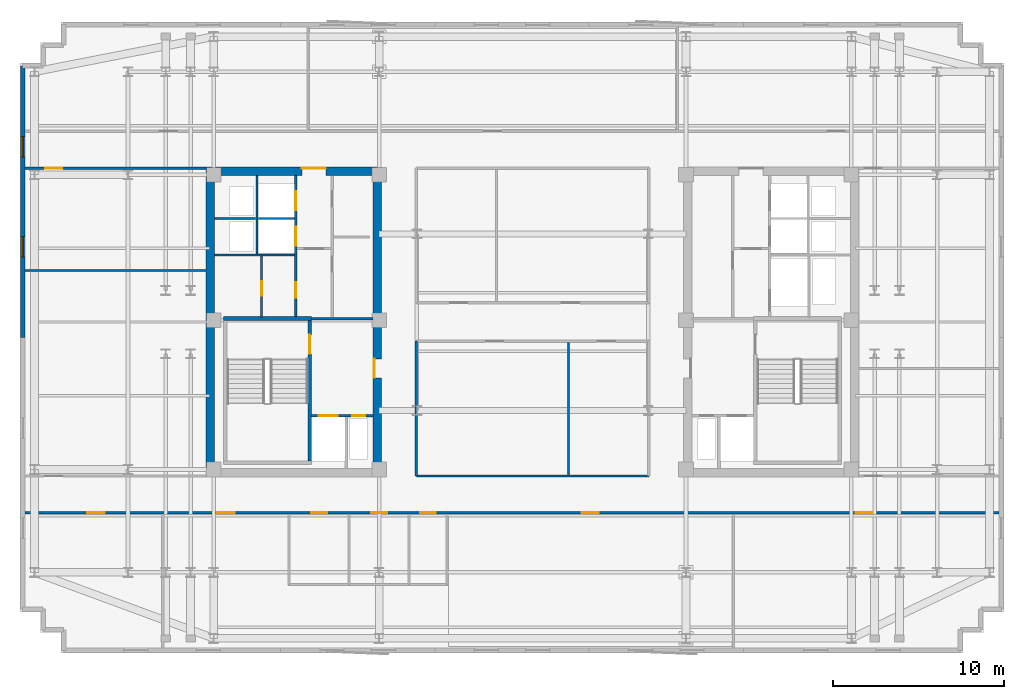
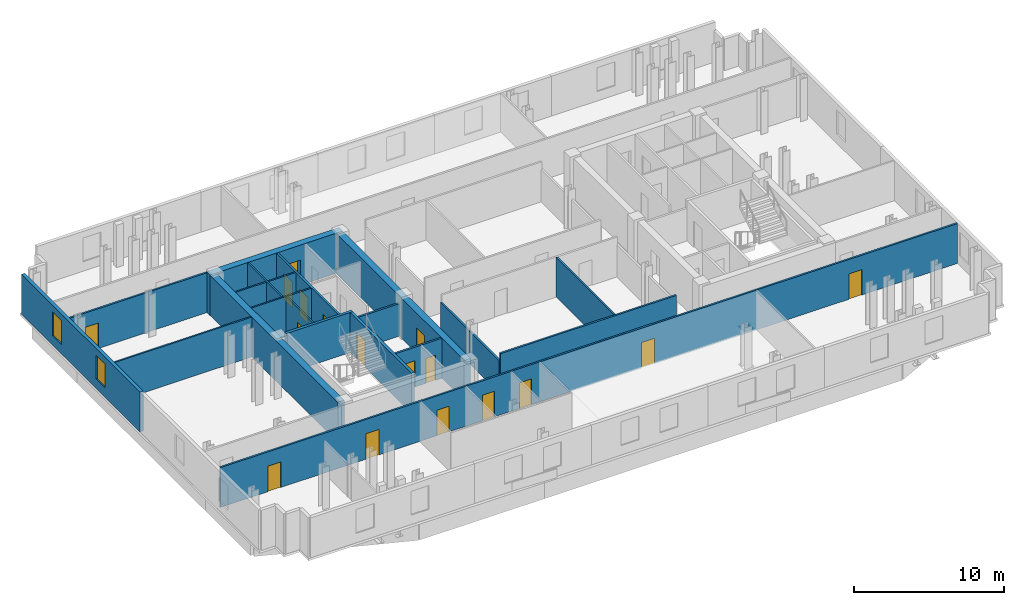
# One storey, part 4 of 9: 20 walls, 17 doors, 2 windows, 19 openings.
"""IFC4 building model written with IfcOpenShell, lengths in metres."""

from ifc_helpers import new_model, si_unit, direction, frame, frame_2d, origin, place, context, subcontext, project, spatial, rectangle, extrude, material, layer, layer_set, type_object, element, fill, save


model = new_model("IFC4")

# Units and contexts
model_context = context("Model", 3, precision=1e-05, world=origin(), true_north=direction((0.0, 1.0)))
body_context = subcontext(model_context, "Body", "Model", "MODEL_VIEW")
ifc_project = project(units=[si_unit("LENGTHUNIT", "METRE"), si_unit("AREAUNIT", "SQUARE_METRE"), si_unit("VOLUMEUNIT", "CUBIC_METRE"), si_unit("PLANEANGLEUNIT", "RADIAN"), si_unit("MASSUNIT", "GRAM", prefix="KILO")], contexts=[model_context])

# Site, building, storey
site_placement = place(None, origin())
site = spatial("IfcSite", under=ifc_project, at=site_placement, CompositionType="ELEMENT")
building_placement = place(site_placement, origin())
building = spatial("IfcBuilding", under=site, at=building_placement, Name="Velakula Bourse", CompositionType="ELEMENT")
storey_placement = place(building_placement, frame((0.0, 0.0, 208.5)))
storey = spatial("IfcBuildingStorey", under=building, at=storey_placement, Name="L56", CompositionType="ELEMENT", Elevation=208.5)

# Wall, opening, door
ifc_material_1 = material(Name="Concrete M50 (fck 50 MPa)", Category="concrete")
ifc_layer_1 = layer(ifc_material_1, 0.2099609375, Name="Concrete M50 (fck 50 MPa)", Category="concrete")
ifc_layer_set_1 = layer_set([ifc_layer_1], Name="Concrete M50 (fck 50 MPa)")
wall_type_1 = type_object("IfcWallType", Name="WL-CORE-210", PredefinedType="SHEAR", material=ifc_layer_set_1)
wall_1_placement = place(storey_placement, frame((-12.9951171875, -8.10009765625, 0.0), z_axis=(0.0, 0.0, 1.0), x_axis=(0.0, 1.0, 0.0)))
wall_1 = element("IfcWall", 1, at=wall_1_placement, inside=storey, type_object=wall_type_1, Name="L56 Core W Stairwell Shear Wall IN", PredefinedType="SHEAR", context=body_context, shape_type="SweptSolid", body=[
    extrude(rectangle(XDim=8.2001953125, YDim=0.2099609375, at=frame_2d((4.10009765625, 0.0))), origin(), (0.0, 0.0, 1.0), 3.27001953125),
])
opening_1_placement = place(wall_1_placement, frame((6.25, 0.0, 0.0)))
opening_1 = element("IfcOpeningElement", 2, at=opening_1_placement, cuts=wall_1, Name="Opening D-STW1", PredefinedType="OPENING", context=body_context, shape_type="SweptSolid", body=[
    extrude(rectangle(XDim=1.10009765625, YDim=2.14990234375, at=frame_2d((0.550048828125, 1.074951171875))), frame((0.0, 0.114990234375, 0.0), z_axis=(0.0, -1.0, 0.0), x_axis=(1.0, 0.0, 0.0)), (0.0, 0.0, 1.0), 0.22998046875),
])
ifc_material_2 = material(Name="Galvanised painted hollow steel fire door", Category="steel")
door_type_1 = type_object("IfcDoorType", Name="DR-FD120-1100x2150", OperationType="NOTDEFINED", PredefinedType="DOOR", material=ifc_material_2)
door_1_placement = place(opening_1_placement, origin())
door_1 = element("IfcDoor", 3, at=door_1_placement, inside=storey, type_object=door_type_1, Name="L56 Stair ST-W1 Fire Door", OperationType="SINGLE_SWING_LEFT", OverallHeight=2.14990234375, OverallWidth=1.10009765625, PredefinedType="DOOR", context=body_context, shape_type="SweptSolid", body=[
    extrude(rectangle(XDim=1.10009765625, YDim=2.14990234375, at=frame_2d((0.550048828125, 1.074951171875))), frame((0.0, 0.02490234375, 0.0), z_axis=(0.0, -1.0, 0.0), x_axis=(1.0, 0.0, 0.0)), (0.0, 0.0, 1.0), 0.050048828125),
])
fill(opening_1, door_1)

# Wall
wall_2_placement = place(storey_placement, frame((-12.889892578125, 0.205078125, 0.0), z_axis=(0.0, 0.0, 1.0), x_axis=(-1.0, 0.0, 0.0)))
element("IfcWall", 4, at=wall_2_placement, inside=storey, type_object=wall_type_1, Name="L56 Core W Stairwell Shear Wall N", PredefinedType="SHEAR", context=body_context, shape_type="SweptSolid", body=[
    extrude(rectangle(XDim=5.14013671875, YDim=0.2099609375, at=frame_2d((2.570068359375, 0.0))), origin(), (0.0, 0.0, 1.0), 3.27001953125),
])

# Wall, opening, door
ifc_layer_2 = layer(ifc_material_1, 0.5, Name="Concrete M50 (fck 50 MPa)", Category="concrete")
ifc_layer_set_2 = layer_set([ifc_layer_2], Name="Concrete M50 (fck 50 MPa)")
wall_type_2 = type_object("IfcWallType", Name="WL-CORE-500", PredefinedType="SHEAR", material=ifc_layer_set_2)
wall_3_placement = place(storey_placement, frame((-19.050048828125, 8.800048828125, 0.0), z_axis=(0.0, 0.0, 1.0), x_axis=(1.0, 0.0, 0.0)))
wall_3 = element("IfcWall", 5, at=wall_3_placement, inside=storey, type_object=wall_type_2, Name="L56 Core W Shear Wall N", PredefinedType="SHEAR", context=body_context, shape_type="SweptSolid", body=[
    extrude(rectangle(XDim=10.25, YDim=0.5, at=frame_2d((5.125, 0.0))), origin(), (0.0, 0.0, 1.0), 3.27001953125),
])
opening_2_placement = place(wall_3_placement, frame((5.60009765625, 0.0, 0.0)))
opening_2 = element("IfcOpeningElement", 6, at=opening_2_placement, cuts=wall_3, Name="Opening D-LLW", PredefinedType="OPENING", context=body_context, shape_type="SweptSolid", body=[
    extrude(rectangle(XDim=1.39990234375, YDim=2.050048828125, at=frame_2d((0.699951171875, 1.02490234375))), frame((0.0, 0.260009765625, 0.0), z_axis=(0.0, -1.0, 0.0), x_axis=(1.0, 0.0, 0.0)), (0.0, 0.0, 1.0), 0.52001953125),
])
ifc_material_3 = material(Name="Fire-rated hardwood flush architectural door", Category="wood")
door_type_2 = type_object("IfcDoorType", Name="DR-DBL-FD60-1400", OperationType="DOUBLE_DOOR_SINGLE_SWING", PredefinedType="DOOR", material=ifc_material_3)
door_2_placement = place(opening_2_placement, origin())
door_2 = element("IfcDoor", 7, at=door_2_placement, inside=storey, type_object=door_type_2, Name="L56 Core W Lift Lobby Corridor Double Door", OperationType="DOUBLE_DOOR_SINGLE_SWING", OverallHeight=2.050048828125, OverallWidth=1.39990234375, PredefinedType="DOOR", context=body_context, shape_type="SweptSolid", body=[
    extrude(rectangle(XDim=1.39990234375, YDim=2.050048828125, at=frame_2d((0.699951171875, 1.02490234375))), frame((0.0, 0.19482421875, 0.0), z_axis=(0.0, -1.0, 0.0), x_axis=(1.0, 0.0, 0.0)), (0.0, 0.0, 1.0), 0.050048828125),
])
fill(opening_2, door_2)

# Wall
wall_4_placement = place(storey_placement, frame((-18.800048828125, -8.550048828125, 0.0), z_axis=(0.0, 0.0, 1.0), x_axis=(0.0, 1.0, 0.0)))
element("IfcWall", 8, at=wall_4_placement, inside=storey, type_object=wall_type_2, Name="L56 Core W Shear Wall W", PredefinedType="SHEAR", context=body_context, shape_type="SweptSolid", body=[
    extrude(rectangle(XDim=17.10009765625, YDim=0.5, at=frame_2d((8.550048828125, 0.0))), origin(), (0.0, 0.0, 1.0), 3.27001953125),
])

# Wall, opening, door
wall_5_placement = place(storey_placement, frame((-9.050048828125, -8.550048828125, 0.0), z_axis=(0.0, 0.0, 1.0), x_axis=(0.0, 1.0, 0.0)))
wall_5 = element("IfcWall", 9, at=wall_5_placement, inside=storey, type_object=wall_type_2, Name="L56 Core W Shear Wall E", PredefinedType="SHEAR", context=body_context, shape_type="SweptSolid", body=[
    extrude(rectangle(XDim=17.10009765625, YDim=0.5, at=frame_2d((8.550048828125, 0.0))), origin(), (0.0, 0.0, 1.0), 3.27001953125),
])
opening_3_placement = place(wall_5_placement, frame((5.300048828125, 0.0, 0.0)))
opening_3 = element("IfcOpeningElement", 10, at=opening_3_placement, cuts=wall_5, Name="Opening D-FLW", PredefinedType="OPENING", context=body_context, shape_type="SweptSolid", body=[
    extrude(rectangle(XDim=1.10009765625, YDim=2.080078125, at=frame_2d((0.550048828125, 1.0400390625))), frame((0.0, 0.260009765625, 0.0), z_axis=(0.0, -1.0, 0.0), x_axis=(1.0, 0.0, 0.0)), (0.0, 0.0, 1.0), 0.52001953125),
])
door_type_3 = type_object("IfcDoorType", Name="DR-FD120-1100", OperationType="NOTDEFINED", PredefinedType="DOOR", material=ifc_material_2)
door_3_placement = place(opening_3_placement, origin())
door_3 = element("IfcDoor", 11, at=door_3_placement, inside=storey, type_object=door_type_3, Name="L56 Firefighting Lobby W Corridor Fire Door", OperationType="SINGLE_SWING_LEFT", OverallHeight=2.080078125, OverallWidth=1.10009765625, PredefinedType="DOOR", context=body_context, shape_type="SweptSolid", body=[
    extrude(rectangle(XDim=1.10009765625, YDim=2.080078125, at=frame_2d((0.550048828125, 1.0400390625))), frame((0.0, 0.205078125, 0.0), z_axis=(0.0, -1.0, 0.0), x_axis=(1.0, 0.0, 0.0)), (0.0, 0.0, 1.0), 0.050048828125),
])
fill(opening_3, door_3)

# Wall, openings, windows
ifc_material_4 = material(Name="Buff kilned clay facing brick masonry", Category="masonry")
ifc_layer_3 = layer(ifc_material_4, 0.260009765625, Name="Buff kilned clay facing brick masonry", Category="masonry")
ifc_layer_set_3 = layer_set([ifc_layer_3], Name="Buff kilned clay facing brick masonry")
wall_type_3 = type_object("IfcWallType", Name="WL-EXT-BRK-260", PredefinedType="STANDARD", material=ifc_layer_set_3)
wall_6_placement = place(storey_placement, frame((-29.75, -0.89990234375, 0.0), z_axis=(0.0, 0.0, 1.0), x_axis=(0.0, 1.0, 0.0)))
wall_6 = element("IfcWall", 12, at=wall_6_placement, inside=storey, type_object=wall_type_3, Name="L56 W Brick End Wall W2", PredefinedType="STANDARD", context=body_context, shape_type="SweptSolid", body=[
    extrude(rectangle(XDim=15.849853515625, YDim=0.260009765625, at=frame_2d((7.9248046875, 0.0))), origin(), (0.0, 0.0, 1.0), 3.25),
])
opening_4_placement = place(wall_6_placement, frame((4.683349609375, 0.0, 0.760009765625)))
opening_4 = element("IfcOpeningElement", 13, at=opening_4_placement, cuts=wall_6, Name="Opening W-04", PredefinedType="OPENING", context=body_context, shape_type="SweptSolid", body=[
    extrude(rectangle(XDim=1.199951171875, YDim=1.949951171875, at=frame_2d((0.60009765625, 0.97509765625))), frame((0.0, 0.139892578125, 0.0), z_axis=(0.0, -1.0, 0.0), x_axis=(1.0, 0.0, 0.0)), (0.0, 0.0, 1.0), 0.280029296875),
])
opening_5_placement = place(wall_6_placement, frame((10.5166015625, 0.0, 0.760009765625)))
opening_5 = element("IfcOpeningElement", 14, at=opening_5_placement, cuts=wall_6, Name="Opening W-04", PredefinedType="OPENING", context=body_context, shape_type="SweptSolid", body=[
    extrude(rectangle(XDim=1.199951171875, YDim=1.949951171875, at=frame_2d((0.60009765625, 0.97509765625))), frame((0.0, 0.139892578125, 0.0), z_axis=(0.0, -1.0, 0.0), x_axis=(1.0, 0.0, 0.0)), (0.0, 0.0, 1.0), 0.280029296875),
])
ifc_material_5 = material(Name="Double-glazed solar-control Low-E glass", Category="glass")
window_type = type_object("IfcWindowType", Name="WIN-TWR-1200x2100", PartitioningType="SINGLE_PANEL", PredefinedType="WINDOW", material=ifc_material_5)
window_1_placement = place(opening_4_placement, origin())
window_1 = element("IfcWindow", 15, at=window_1_placement, inside=storey, type_object=window_type, Name="L56 Deep-Set Recessed Window 1", OverallHeight=1.949951171875, OverallWidth=1.199951171875, PartitioningType="SINGLE_PANEL", PredefinedType="WINDOW", context=body_context, shape_type="SweptSolid", body=[
    extrude(rectangle(XDim=1.199951171875, YDim=1.949951171875, at=frame_2d((0.60009765625, 0.97509765625))), frame((0.0, 0.030029296875, 0.0), z_axis=(0.0, -1.0, 0.0), x_axis=(1.0, 0.0, 0.0)), (0.0, 0.0, 1.0), 0.06005859375),
])
fill(opening_4, window_1)
window_2_placement = place(opening_5_placement, origin())
window_2 = element("IfcWindow", 16, at=window_2_placement, inside=storey, type_object=window_type, Name="L56 Deep-Set Recessed Window 2", OverallHeight=1.949951171875, OverallWidth=1.199951171875, PartitioningType="SINGLE_PANEL", PredefinedType="WINDOW", context=body_context, shape_type="SweptSolid", body=[
    extrude(rectangle(XDim=1.199951171875, YDim=1.949951171875, at=frame_2d((0.60009765625, 0.97509765625))), frame((0.0, 0.030029296875, 0.0), z_axis=(0.0, -1.0, 0.0), x_axis=(1.0, 0.0, 0.0)), (0.0, 0.0, 1.0), 0.06005859375),
])
fill(opening_5, window_2)

# Walls
ifc_material_6 = material(Name="Fire-rated double-layer gypsum drywall partition", Category="gypsum")
ifc_layer_4 = layer(ifc_material_6, 0.1201171875, Name="Fire-rated double-layer gypsum drywall partition", Category="gypsum")
ifc_layer_set_4 = layer_set([ifc_layer_4], Name="Fire-rated double-layer gypsum drywall partition")
wall_type_4 = type_object("IfcWallType", Name="WL-PART-120", PredefinedType="STANDARD", material=ifc_layer_set_4)
wall_7_placement = place(storey_placement, frame((-18.550048828125, 3.919921875, 0.0), z_axis=(0.0, 0.0, 1.0), x_axis=(1.0, 0.0, 0.0)))
element("IfcWall", 17, at=wall_7_placement, inside=storey, type_object=wall_type_4, Name="L56 Interior Partition WL-CRW-L56-HI-S", PredefinedType="STANDARD", context=body_context, shape_type="SweptSolid", body=[
    extrude(rectangle(XDim=4.650146484375, YDim=0.1201171875, at=frame_2d((2.3251953125, 0.0))), origin(), (0.0, 0.0, 1.0), 3.25),
])
wall_8_placement = place(storey_placement, frame((-18.550048828125, 6.030029296875, 0.0), z_axis=(0.0, 0.0, 1.0), x_axis=(1.0, 0.0, 0.0)))
element("IfcWall", 18, at=wall_8_placement, inside=storey, type_object=wall_type_4, Name="L56 Interior Partition WL-CRW-L56-RIS-MID", PredefinedType="STANDARD", context=body_context, shape_type="SweptSolid", body=[
    extrude(rectangle(XDim=2.400146484375, YDim=0.1201171875, at=frame_2d((1.2001953125, 0.0))), origin(), (0.0, 0.0, 1.0), 3.25),
])
wall_9_placement = place(storey_placement, frame((-16.074951171875, 3.97998046875, 0.0), z_axis=(0.0, 0.0, 1.0), x_axis=(0.0, 1.0, 0.0)))
element("IfcWall", 19, at=wall_9_placement, inside=storey, type_object=wall_type_4, Name="L56 Interior Partition WL-CRW-L56-RIS-F", PredefinedType="STANDARD", context=body_context, shape_type="SweptSolid", body=[
    extrude(rectangle(XDim=4.570068359375, YDim=0.1201171875, at=frame_2d((2.28515625, 0.0))), origin(), (0.0, 0.0, 1.0), 3.25),
])
wall_10_placement = place(storey_placement, frame((-16.0, 6.030029296875, 0.0), z_axis=(0.0, 0.0, 1.0), x_axis=(1.0, 0.0, 0.0)))
element("IfcWall", 20, at=wall_10_placement, inside=storey, type_object=wall_type_4, Name="L56 Interior Partition WL-CRW-L56-HI-DIV", PredefinedType="STANDARD", context=body_context, shape_type="SweptSolid", body=[
    extrude(rectangle(XDim=2.10009765625, YDim=0.1201171875, at=frame_2d((1.050048828125, 0.0))), origin(), (0.0, 0.0, 1.0), 3.25),
])

# Wall, opening, door
wall_11_placement = place(storey_placement, frame((-15.800048828125, 0.27001953125, 0.0), z_axis=(0.0, 0.0, 1.0), x_axis=(0.0, 1.0, 0.0)))
wall_11 = element("IfcWall", 21, at=wall_11_placement, inside=storey, type_object=wall_type_4, Name="L56 Interior Partition WL-CRW-L56-K2", PredefinedType="STANDARD", context=body_context, shape_type="SweptSolid", body=[
    extrude(rectangle(XDim=3.590087890625, YDim=0.1201171875, at=frame_2d((1.794921875, 0.0))), origin(), (0.0, 0.0, 1.0), 3.25),
])
opening_6_placement = place(wall_11_placement, frame((1.25, 0.0, 0.0)))
opening_6 = element("IfcOpeningElement", 22, at=opening_6_placement, cuts=wall_11, Name="Opening D-CE1", PredefinedType="OPENING", context=body_context, shape_type="SweptSolid", body=[
    extrude(rectangle(XDim=0.85009765625, YDim=2.050048828125, at=frame_2d((0.425048828125, 1.02490234375))), frame((0.0, 0.070068359375, 0.0), z_axis=(0.0, -1.0, 0.0), x_axis=(1.0, 0.0, 0.0)), (0.0, 0.0, 1.0), 0.14013671875),
])
door_type_4 = type_object("IfcDoorType", Name="DR-INT-850", OperationType="NOTDEFINED", PredefinedType="DOOR", material=ifc_material_3)
door_4_placement = place(opening_6_placement, origin())
door_4 = element("IfcDoor", 23, at=door_4_placement, inside=storey, type_object=door_type_4, Name="L56 Core Equipment Store Door", OperationType="SINGLE_SWING_RIGHT", OverallHeight=2.050048828125, OverallWidth=0.85009765625, PredefinedType="DOOR", context=body_context, shape_type="SweptSolid", body=[
    extrude(rectangle(XDim=0.85009765625, YDim=2.050048828125, at=frame_2d((0.425048828125, 1.02490234375))), frame((0.0, 0.02490234375, 0.0), z_axis=(0.0, -1.0, 0.0), x_axis=(1.0, 0.0, 0.0)), (0.0, 0.0, 1.0), 0.050048828125),
])
fill(opening_6, door_4)

# Wall
wall_12_placement = place(storey_placement, frame((-29.6201171875, 3.0, 0.0), z_axis=(0.0, 0.0, 1.0), x_axis=(1.0, 0.0, 0.0)))
element("IfcWall", 24, at=wall_12_placement, inside=storey, type_object=wall_type_4, Name="L56 Interior Partition WL-INT-L56-W-H", PredefinedType="STANDARD", context=body_context, shape_type="SweptSolid", body=[
    extrude(rectangle(XDim=10.570068359375, YDim=0.1201171875, at=frame_2d((5.28515625, 0.0))), origin(), (0.0, 0.0, 1.0), 3.25),
])

# Wall, openings, doors
ifc_layer_5 = layer(ifc_material_6, 0.139892578125, Name="Fire-rated double-layer gypsum drywall partition", Category="gypsum")
ifc_layer_set_5 = layer_set([ifc_layer_5], Name="Fire-rated double-layer gypsum drywall partition")
wall_type_5 = type_object("IfcWallType", Name="WL-PART-140", PredefinedType="STANDARD", material=ifc_layer_set_5)
wall_13_placement = place(storey_placement, frame((-29.6201171875, -11.1201171875, 0.0), z_axis=(0.0, 0.0, 1.0), x_axis=(1.0, 0.0, 0.0)))
wall_13 = element("IfcWall", 25, at=wall_13_placement, inside=storey, type_object=wall_type_5, Name="L56 Interior Partition WL-INT-L56-S-CORR", PredefinedType="STANDARD", context=body_context, shape_type="SweptSolid", body=[
    extrude(rectangle(XDim=56.840087890625, YDim=0.139892578125, at=frame_2d((28.419921875, 0.0))), origin(), (0.0, 0.0, 1.0), 3.25),
])
opening_7_placement = place(wall_13_placement, frame((16.7099609375, 0.0, 0.0)))
opening_7 = element("IfcOpeningElement", 26, at=opening_7_placement, cuts=wall_13, Name="Opening D-WT1", PredefinedType="OPENING", context=body_context, shape_type="SweptSolid", body=[
    extrude(rectangle(XDim=0.919921875, YDim=2.080078125, at=frame_2d((0.4599609375, 1.0400390625))), frame((0.0, 0.079833984375, 0.0), z_axis=(0.0, -1.0, 0.0), x_axis=(1.0, 0.0, 0.0)), (0.0, 0.0, 1.0), 0.159912109375),
])
opening_8_placement = place(wall_13_placement, frame((20.2099609375, 0.0, 0.0)))
opening_8 = element("IfcOpeningElement", 27, at=opening_8_placement, cuts=wall_13, Name="Opening D-WT1", PredefinedType="OPENING", context=body_context, shape_type="SweptSolid", body=[
    extrude(rectangle(XDim=0.919921875, YDim=2.080078125, at=frame_2d((0.4599609375, 1.0400390625))), frame((0.0, 0.079833984375, 0.0), z_axis=(0.0, -1.0, 0.0), x_axis=(1.0, 0.0, 0.0)), (0.0, 0.0, 1.0), 0.159912109375),
])
opening_9_placement = place(wall_13_placement, frame((23.06005859375, 0.0, 0.0)))
opening_9 = element("IfcOpeningElement", 28, at=opening_9_placement, cuts=wall_13, Name="Opening D-WC1", PredefinedType="OPENING", context=body_context, shape_type="SweptSolid", body=[
    extrude(rectangle(XDim=0.919921875, YDim=2.080078125, at=frame_2d((0.4599609375, 1.0400390625))), frame((0.0, 0.079833984375, 0.0), z_axis=(0.0, -1.0, 0.0), x_axis=(1.0, 0.0, 0.0)), (0.0, 0.0, 1.0), 0.159912109375),
])
opening_10_placement = place(wall_13_placement, frame((3.6494140625, 0.0, 0.0)))
opening_10 = element("IfcOpeningElement", 29, at=opening_10_placement, cuts=wall_13, Name="Opening D-OF1", PredefinedType="OPENING", context=body_context, shape_type="SweptSolid", body=[
    extrude(rectangle(XDim=1.0, YDim=2.080078125, at=frame_2d((0.5, 1.0400390625))), frame((0.0, 0.079833984375, 0.0), z_axis=(0.0, -1.0, 0.0), x_axis=(1.0, 0.0, 0.0)), (0.0, 0.0, 1.0), 0.159912109375),
])
opening_11_placement = place(wall_13_placement, frame((11.2333984375, 0.0, 0.0)))
opening_11 = element("IfcOpeningElement", 30, at=opening_11_placement, cuts=wall_13, Name="Opening D-OF1", PredefinedType="OPENING", context=body_context, shape_type="SweptSolid", body=[
    extrude(rectangle(XDim=1.0, YDim=2.080078125, at=frame_2d((0.5, 1.0400390625))), frame((0.0, 0.079833984375, 0.0), z_axis=(0.0, -1.0, 0.0), x_axis=(1.0, 0.0, 0.0)), (0.0, 0.0, 1.0), 0.159912109375),
])
opening_12_placement = place(wall_13_placement, frame((32.4814453125, 0.0, 0.0)))
opening_12 = element("IfcOpeningElement", 31, at=opening_12_placement, cuts=wall_13, Name="Opening D-OF1", PredefinedType="OPENING", context=body_context, shape_type="SweptSolid", body=[
    extrude(rectangle(XDim=1.0, YDim=2.080078125, at=frame_2d((0.5, 1.0400390625))), frame((0.0, 0.079833984375, 0.0), z_axis=(0.0, -1.0, 0.0), x_axis=(1.0, 0.0, 0.0)), (0.0, 0.0, 1.0), 0.159912109375),
])
opening_13_placement = place(wall_13_placement, frame((48.465576171875, 0.0, 0.0)))
opening_13 = element("IfcOpeningElement", 32, at=opening_13_placement, cuts=wall_13, Name="Opening D-OF1", PredefinedType="OPENING", context=body_context, shape_type="SweptSolid", body=[
    extrude(rectangle(XDim=1.0, YDim=2.080078125, at=frame_2d((0.5, 1.0400390625))), frame((0.0, 0.079833984375, 0.0), z_axis=(0.0, -1.0, 0.0), x_axis=(1.0, 0.0, 0.0)), (0.0, 0.0, 1.0), 0.159912109375),
])
door_type_5 = type_object("IfcDoorType", Name="DR-OFF-1000", OperationType="NOTDEFINED", PredefinedType="DOOR", material=ifc_material_3)
door_5_placement = place(opening_10_placement, origin())
door_5 = element("IfcDoor", 33, at=door_5_placement, inside=storey, type_object=door_type_5, Name="L56 Members Dining Lounge Door", OperationType="SINGLE_SWING_LEFT", OverallHeight=2.080078125, OverallWidth=1.0, PredefinedType="DOOR", context=body_context, shape_type="SweptSolid", body=[
    extrude(rectangle(XDim=1.0, YDim=2.080078125, at=frame_2d((0.5, 1.0400390625))), frame((0.0, 0.02490234375, 0.0), z_axis=(0.0, -1.0, 0.0), x_axis=(1.0, 0.0, 0.0)), (0.0, 0.0, 1.0), 0.050048828125),
])
fill(opening_10, door_5)
door_6_placement = place(opening_11_placement, origin())
door_6 = element("IfcDoor", 34, at=door_6_placement, inside=storey, type_object=door_type_5, Name="L56 Primary Dealer Office Door", OperationType="SINGLE_SWING_RIGHT", OverallHeight=2.080078125, OverallWidth=1.0, PredefinedType="DOOR", context=body_context, shape_type="SweptSolid", body=[
    extrude(rectangle(XDim=1.0, YDim=2.080078125, at=frame_2d((0.5, 1.0400390625))), frame((0.0, 0.02490234375, 0.0), z_axis=(0.0, -1.0, 0.0), x_axis=(1.0, 0.0, 0.0)), (0.0, 0.0, 1.0), 0.050048828125),
])
fill(opening_11, door_6)
door_7_placement = place(opening_12_placement, origin())
door_7 = element("IfcDoor", 35, at=door_7_placement, inside=storey, type_object=door_type_5, Name="L56 Disciplinary Hearing Room Door", OperationType="SINGLE_SWING_LEFT", OverallHeight=2.080078125, OverallWidth=1.0, PredefinedType="DOOR", context=body_context, shape_type="SweptSolid", body=[
    extrude(rectangle(XDim=1.0, YDim=2.080078125, at=frame_2d((0.5, 1.0400390625))), frame((0.0, 0.02490234375, 0.0), z_axis=(0.0, -1.0, 0.0), x_axis=(1.0, 0.0, 0.0)), (0.0, 0.0, 1.0), 0.050048828125),
])
fill(opening_12, door_7)
door_8_placement = place(opening_13_placement, origin())
door_8 = element("IfcDoor", 36, at=door_8_placement, inside=storey, type_object=door_type_5, Name="L56 Traders Pantry Door", OperationType="SINGLE_SWING_RIGHT", OverallHeight=2.080078125, OverallWidth=1.0, PredefinedType="DOOR", context=body_context, shape_type="SweptSolid", body=[
    extrude(rectangle(XDim=1.0, YDim=2.080078125, at=frame_2d((0.5, 1.0400390625))), frame((0.0, 0.02490234375, 0.0), z_axis=(0.0, -1.0, 0.0), x_axis=(1.0, 0.0, 0.0)), (0.0, 0.0, 1.0), 0.050048828125),
])
fill(opening_13, door_8)
door_type_6 = type_object("IfcDoorType", Name="DR-WC-950", OperationType="NOTDEFINED", PredefinedType="DOOR", material=ifc_material_3)
door_9_placement = place(opening_7_placement, origin())
door_9 = element("IfcDoor", 37, at=door_9_placement, inside=storey, type_object=door_type_6, Name="L56 Male Staff Toilet Door", OperationType="SINGLE_SWING_RIGHT", OverallHeight=2.080078125, OverallWidth=0.919921875, PredefinedType="DOOR", context=body_context, shape_type="SweptSolid", body=[
    extrude(rectangle(XDim=0.919921875, YDim=2.080078125, at=frame_2d((0.4599609375, 1.0400390625))), frame((0.0, 0.02490234375, 0.0), z_axis=(0.0, -1.0, 0.0), x_axis=(1.0, 0.0, 0.0)), (0.0, 0.0, 1.0), 0.050048828125),
])
fill(opening_7, door_9)
door_10_placement = place(opening_8_placement, origin())
door_10 = element("IfcDoor", 38, at=door_10_placement, inside=storey, type_object=door_type_6, Name="L56 Female Staff Toilet Door", OperationType="SINGLE_SWING_LEFT", OverallHeight=2.080078125, OverallWidth=0.919921875, PredefinedType="DOOR", context=body_context, shape_type="SweptSolid", body=[
    extrude(rectangle(XDim=0.919921875, YDim=2.080078125, at=frame_2d((0.4599609375, 1.0400390625))), frame((0.0, 0.02490234375, 0.0), z_axis=(0.0, -1.0, 0.0), x_axis=(1.0, 0.0, 0.0)), (0.0, 0.0, 1.0), 0.050048828125),
])
fill(opening_8, door_10)
door_11_placement = place(opening_9_placement, origin())
door_11 = element("IfcDoor", 39, at=door_11_placement, inside=storey, type_object=door_type_6, Name="L56 Accessible WC Door", OperationType="SINGLE_SWING_RIGHT", OverallHeight=2.080078125, OverallWidth=0.919921875, PredefinedType="DOOR", context=body_context, shape_type="SweptSolid", body=[
    extrude(rectangle(XDim=0.919921875, YDim=2.080078125, at=frame_2d((0.4599609375, 1.0400390625))), frame((0.0, 0.02490234375, 0.0), z_axis=(0.0, -1.0, 0.0), x_axis=(1.0, 0.0, 0.0)), (0.0, 0.0, 1.0), 0.050048828125),
])
fill(opening_9, door_11)

# Wall, opening, door
wall_14_placement = place(storey_placement, frame((-29.6201171875, 8.97998046875, 0.0), z_axis=(0.0, 0.0, 1.0), x_axis=(1.0, 0.0, 0.0)))
wall_14 = element("IfcWall", 40, at=wall_14_placement, inside=storey, type_object=wall_type_5, Name="L56 Interior Partition WL-INT-L56-W-NC", PredefinedType="STANDARD", context=body_context, shape_type="SweptSolid", body=[
    extrude(rectangle(XDim=10.570068359375, YDim=0.139892578125, at=frame_2d((5.28515625, 0.0))), origin(), (0.0, 0.0, 1.0), 3.25),
])
opening_14_placement = place(wall_14_placement, frame((1.191162109375, 0.0, 0.0)))
opening_14 = element("IfcOpeningElement", 41, at=opening_14_placement, cuts=wall_14, Name="Opening D-OF1", PredefinedType="OPENING", context=body_context, shape_type="SweptSolid", body=[
    extrude(rectangle(XDim=1.0, YDim=2.080078125, at=frame_2d((0.5, 1.0400390625))), frame((0.0, 0.079833984375, 0.0), z_axis=(0.0, -1.0, 0.0), x_axis=(1.0, 0.0, 0.0)), (0.0, 0.0, 1.0), 0.159912109375),
])
door_12_placement = place(opening_14_placement, origin())
door_12 = element("IfcDoor", 42, at=door_12_placement, inside=storey, type_object=door_type_5, Name="L56 Treasury Operations Office Door", OperationType="SINGLE_SWING_LEFT", OverallHeight=2.080078125, OverallWidth=1.0, PredefinedType="DOOR", context=body_context, shape_type="SweptSolid", body=[
    extrude(rectangle(XDim=1.0, YDim=2.080078125, at=frame_2d((0.5, 1.0400390625))), frame((0.0, 0.02490234375, 0.0), z_axis=(0.0, -1.0, 0.0), x_axis=(1.0, 0.0, 0.0)), (0.0, 0.0, 1.0), 0.050048828125),
])
fill(opening_14, door_12)

# Walls
wall_15_placement = place(storey_placement, frame((-6.780029296875, -8.97998046875, 0.0), z_axis=(0.0, 0.0, 1.0), x_axis=(1.0, 0.0, 0.0)))
element("IfcWall", 43, at=wall_15_placement, inside=storey, type_object=wall_type_5, Name="L56 Interior Partition WL-INT-L56-MS-OUT", PredefinedType="STANDARD", context=body_context, shape_type="SweptSolid", body=[
    extrude(rectangle(XDim=13.56005859375, YDim=0.139892578125, at=frame_2d((6.780029296875, 0.0))), origin(), (0.0, 0.0, 1.0), 3.25),
])
wall_16_placement = place(storey_placement, frame((-6.780029296875, -8.97998046875, 0.0), z_axis=(0.0, 0.0, 1.0), x_axis=(0.0, 1.0, 0.0)))
element("IfcWall", 44, at=wall_16_placement, inside=storey, type_object=wall_type_5, Name="L56 Interior Partition WL-INT-L56-MS-W", PredefinedType="STANDARD", context=body_context, shape_type="SweptSolid", body=[
    extrude(rectangle(XDim=7.85986328125, YDim=0.139892578125, at=frame_2d((3.929931640625, 0.0))), origin(), (0.0, 0.0, 1.0), 2.64501953125),
])
wall_17_placement = place(storey_placement, frame((2.10009765625, -8.909912109375, 0.0), z_axis=(0.0, 0.0, 1.0), x_axis=(0.0, 1.0, 0.0)))
element("IfcWall", 45, at=wall_17_placement, inside=storey, type_object=wall_type_5, Name="L56 Interior Partition WL-INT-L56-MS-V1", PredefinedType="STANDARD", context=body_context, shape_type="SweptSolid", body=[
    extrude(rectangle(XDim=7.719970703125, YDim=0.1201171875, at=frame_2d((3.85986328125, 0.0))), origin(), (0.0, 0.0, 1.0), 3.25),
])

# Wall, openings, doors
ifc_material_7 = material(Name="Autoclaved aerated concrete blockwork masonry", Category="masonry")
ifc_layer_6 = layer(ifc_material_7, 0.14990234375, Name="Autoclaved aerated concrete blockwork masonry", Category="masonry")
ifc_layer_set_6 = layer_set([ifc_layer_6], Name="Autoclaved aerated concrete blockwork masonry")
wall_type_6 = type_object("IfcWallType", Name="WL-SHAFT-150", PredefinedType="STANDARD", material=ifc_layer_set_6)
wall_18_placement = place(storey_placement, frame((-12.89501953125, -5.47509765625, 0.0), z_axis=(0.0, 0.0, 1.0), x_axis=(1.0, 0.0, 0.0)))
wall_18 = element("IfcWall", 46, at=wall_18_placement, inside=storey, type_object=wall_type_6, Name="L56 Interior Partition WL-CRW-L56-FFL-N", PredefinedType="STANDARD", context=body_context, shape_type="SweptSolid", body=[
    extrude(rectangle(XDim=3.594970703125, YDim=0.14990234375, at=frame_2d((1.79736328125, 0.0))), origin(), (0.0, 0.0, 1.0), 3.25),
])
opening_15_placement = place(wall_18_placement, frame((0.419921875, 0.0, 0.0)))
opening_15 = element("IfcOpeningElement", 47, at=opening_15_placement, cuts=wall_18, Name="Opening LD-FFL-1", PredefinedType="OPENING", context=body_context, shape_type="SweptSolid", body=[
    extrude(rectangle(XDim=1.10009765625, YDim=2.14990234375, at=frame_2d((0.550048828125, 1.074951171875))), frame((0.0, 0.0849609375, 0.0), z_axis=(0.0, -1.0, 0.0), x_axis=(1.0, 0.0, 0.0)), (0.0, 0.0, 1.0), 0.169921875),
])
opening_16_placement = place(wall_18_placement, frame((2.3701171875, 0.0, 0.0)))
opening_16 = element("IfcOpeningElement", 48, at=opening_16_placement, cuts=wall_18, Name="Opening D-RS1", PredefinedType="OPENING", context=body_context, shape_type="SweptSolid", body=[
    extrude(rectangle(XDim=0.75, YDim=2.050048828125, at=frame_2d((0.375, 1.02490234375))), frame((0.0, 0.0849609375, 0.0), z_axis=(0.0, -1.0, 0.0), x_axis=(1.0, 0.0, 0.0)), (0.0, 0.0, 1.0), 0.169921875),
])
door_type_7 = type_object("IfcDoorType", Name="DR-RISER-800", OperationType="NOTDEFINED", PredefinedType="DOOR", material=ifc_material_2)
door_13_placement = place(opening_16_placement, origin())
door_13 = element("IfcDoor", 49, at=door_13_placement, inside=storey, type_object=door_type_7, Name="L56 Fire Riser Access Door", OperationType="SINGLE_SWING_LEFT", OverallHeight=2.050048828125, OverallWidth=0.75, PredefinedType="DOOR", context=body_context, shape_type="SweptSolid", body=[
    extrude(rectangle(XDim=0.75, YDim=2.050048828125, at=frame_2d((0.375, 1.02490234375))), frame((0.0, 0.02490234375, 0.0), z_axis=(0.0, -1.0, 0.0), x_axis=(1.0, 0.0, 0.0)), (0.0, 0.0, 1.0), 0.050048828125),
])
fill(opening_16, door_13)
ifc_material_8 = material(Name="Brushed grade 316 stainless steel", Category="steel")
door_type_8 = type_object("IfcDoorType", Name="DR-SLIDE-FFL-1100", OperationType="DOUBLE_DOOR_SLIDING", PredefinedType="DOOR", material=ifc_material_8)
door_14_placement = place(opening_15_placement, origin())
door_14 = element("IfcDoor", 50, at=door_14_placement, inside=storey, type_object=door_type_8, Name="L56 Firefighting Lift FFL-1 Sliding Landing Door", OperationType="DOUBLE_DOOR_SLIDING", OverallHeight=2.14990234375, OverallWidth=1.10009765625, PredefinedType="DOOR", context=body_context, shape_type="SweptSolid", body=[
    extrude(rectangle(XDim=1.10009765625, YDim=2.14990234375, at=frame_2d((0.550048828125, 1.074951171875))), frame((0.0, 0.02490234375, 0.0), z_axis=(0.0, -1.0, 0.0), x_axis=(1.0, 0.0, 0.0)), (0.0, 0.0, 1.0), 0.050048828125),
])
fill(opening_15, door_14)

# Wall
wall_19_placement = place(storey_placement, frame((-12.889892578125, 0.18994140625, 0.0), z_axis=(0.0, 0.0, 1.0), x_axis=(1.0, 0.0, 0.0)))
element("IfcWall", 51, at=wall_19_placement, inside=storey, type_object=wall_type_6, Name="L56 Interior Partition WL-CRW-L56-FF-TOP", PredefinedType="STANDARD", context=body_context, shape_type="SweptSolid", body=[
    extrude(rectangle(XDim=3.58984375, YDim=0.14990234375, at=frame_2d((1.794921875, 0.0))), origin(), (0.0, 0.0, 1.0), 2.64501953125),
])

# Wall, openings, doors
wall_20_placement = place(storey_placement, frame((-13.824951171875, 0.27001953125, 0.0), z_axis=(0.0, 0.0, 1.0), x_axis=(0.0, 1.0, 0.0)))
wall_20 = element("IfcWall", 52, at=wall_20_placement, inside=storey, type_object=wall_type_6, Name="L56 Interior Partition WL-CRW-L56-OUT-F", PredefinedType="STANDARD", context=body_context, shape_type="SweptSolid", body=[
    extrude(rectangle(XDim=8.280029296875, YDim=0.14990234375, at=frame_2d((4.14013671875, 0.0))), origin(), (0.0, 0.0, 1.0), 3.25),
])
opening_17_placement = place(wall_20_placement, frame((4.175048828125, 0.0, 0.0)))
opening_17 = element("IfcOpeningElement", 53, at=opening_17_placement, cuts=wall_20, Name="Opening LD-P9", PredefinedType="OPENING", context=body_context, shape_type="SweptSolid", body=[
    extrude(rectangle(XDim=1.10009765625, YDim=2.10009765625, at=frame_2d((0.550048828125, 1.050048828125))), frame((0.0, 0.0849609375, 0.0), z_axis=(0.0, -1.0, 0.0), x_axis=(1.0, 0.0, 0.0)), (0.0, 0.0, 1.0), 0.169921875),
])
opening_18_placement = place(wall_20_placement, frame((6.2451171875, 0.0, 0.0)))
opening_18 = element("IfcOpeningElement", 54, at=opening_18_placement, cuts=wall_20, Name="Opening LD-P10", PredefinedType="OPENING", context=body_context, shape_type="SweptSolid", body=[
    extrude(rectangle(XDim=1.10009765625, YDim=2.10009765625, at=frame_2d((0.550048828125, 1.050048828125))), frame((0.0, 0.0849609375, 0.0), z_axis=(0.0, -1.0, 0.0), x_axis=(1.0, 0.0, 0.0)), (0.0, 0.0, 1.0), 0.169921875),
])
opening_19_placement = place(wall_20_placement, frame((1.14990234375, 0.0, 0.0)))
opening_19 = element("IfcOpeningElement", 55, at=opening_19_placement, cuts=wall_20, Name="Opening D-CP1", PredefinedType="OPENING", context=body_context, shape_type="SweptSolid", body=[
    extrude(rectangle(XDim=0.89990234375, YDim=2.050048828125, at=frame_2d((0.449951171875, 1.02490234375))), frame((0.0, 0.0849609375, 0.0), z_axis=(0.0, -1.0, 0.0), x_axis=(1.0, 0.0, 0.0)), (0.0, 0.0, 1.0), 0.169921875),
])
door_type_9 = type_object("IfcDoorType", Name="DR-INT-900", OperationType="NOTDEFINED", PredefinedType="DOOR", material=ifc_material_3)
door_15_placement = place(opening_19_placement, origin())
door_15 = element("IfcDoor", 56, at=door_15_placement, inside=storey, type_object=door_type_9, Name="L56 Core Tea Pantry Door", OperationType="SINGLE_SWING_LEFT", OverallHeight=2.050048828125, OverallWidth=0.89990234375, PredefinedType="DOOR", context=body_context, shape_type="SweptSolid", body=[
    extrude(rectangle(XDim=0.89990234375, YDim=2.050048828125, at=frame_2d((0.449951171875, 1.02490234375))), frame((0.0, 0.02490234375, 0.0), z_axis=(0.0, -1.0, 0.0), x_axis=(1.0, 0.0, 0.0)), (0.0, 0.0, 1.0), 0.050048828125),
])
fill(opening_19, door_15)
door_type_10 = type_object("IfcDoorType", Name="DR-SLIDE-LD-1100", OperationType="DOUBLE_DOOR_SLIDING", PredefinedType="DOOR", material=ifc_material_8)
door_16_placement = place(opening_17_placement, origin())
door_16 = element("IfcDoor", 57, at=door_16_placement, inside=storey, type_object=door_type_10, Name="L56 Passenger Lift P9 Sliding Landing Door", OperationType="DOUBLE_DOOR_SLIDING", OverallHeight=2.10009765625, OverallWidth=1.10009765625, PredefinedType="DOOR", context=body_context, shape_type="SweptSolid", body=[
    extrude(rectangle(XDim=1.10009765625, YDim=2.10009765625, at=frame_2d((0.550048828125, 1.050048828125))), frame((0.0, 0.02490234375, 0.0), z_axis=(0.0, -1.0, 0.0), x_axis=(1.0, 0.0, 0.0)), (0.0, 0.0, 1.0), 0.050048828125),
])
fill(opening_17, door_16)
door_17_placement = place(opening_18_placement, origin())
door_17 = element("IfcDoor", 58, at=door_17_placement, inside=storey, type_object=door_type_10, Name="L56 Passenger Lift P10 Sliding Landing Door", OperationType="DOUBLE_DOOR_SLIDING", OverallHeight=2.10009765625, OverallWidth=1.10009765625, PredefinedType="DOOR", context=body_context, shape_type="SweptSolid", body=[
    extrude(rectangle(XDim=1.10009765625, YDim=2.10009765625, at=frame_2d((0.550048828125, 1.050048828125))), frame((0.0, 0.02490234375, 0.0), z_axis=(0.0, -1.0, 0.0), x_axis=(1.0, 0.0, 0.0)), (0.0, 0.0, 1.0), 0.050048828125),
])
fill(opening_18, door_17)

save(model, "model.ifc")
